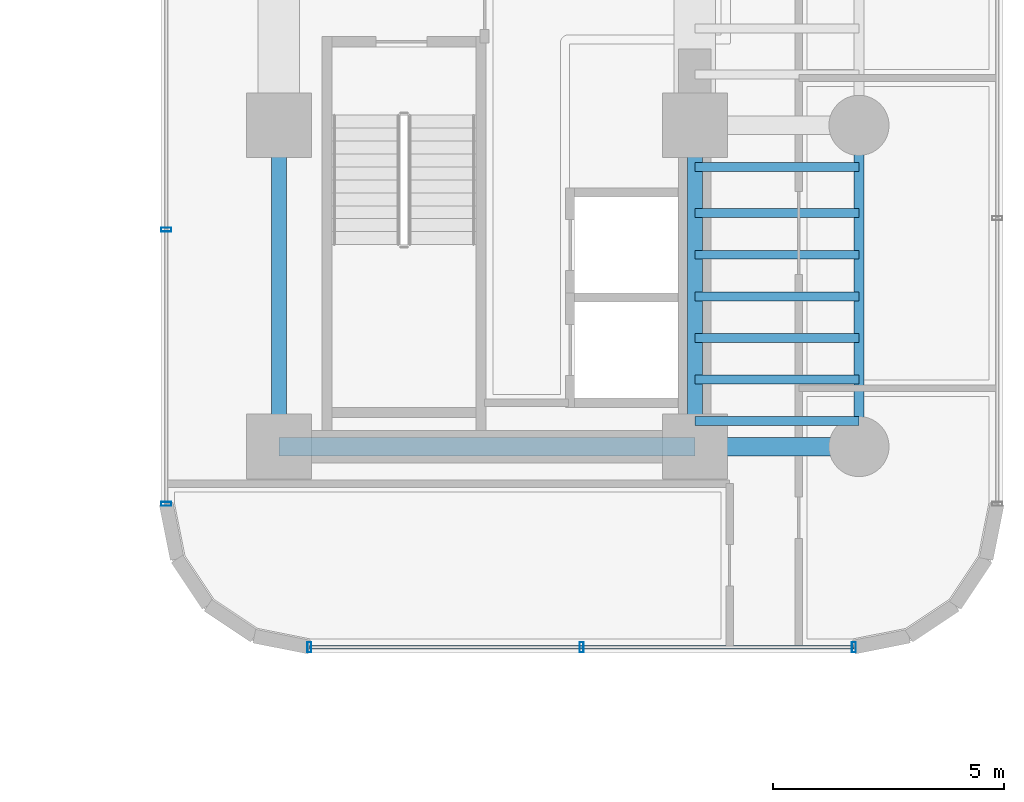
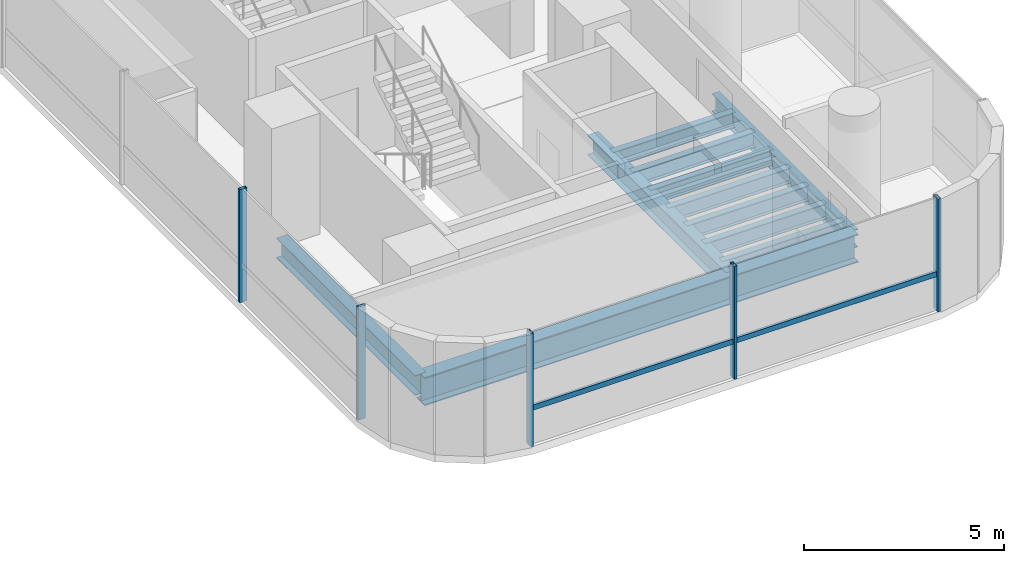
# One storey, part 14 of 41: 12 beams, 6 members, 2 elements without a shape of their own.
"""IFC4 building model written with IfcOpenShell, lengths in metres."""

from ifc_helpers import new_model, si_unit, direction, frame, origin, origin_2d, place, context, subcontext, project, spatial, hollow_rectangle, i_section, extrude, source, transform, mapped, material, material_profile, profile_set, type_object, element, aggregate, save


model = new_model("IFC4")

# Units and contexts
model_context = context("Model", 3, precision=1e-05, world=origin(), true_north=direction((0.0, 1.0)))
body_context = subcontext(model_context, "Body", "Model", "MODEL_VIEW")
ifc_project = project(units=[si_unit("LENGTHUNIT", "METRE"), si_unit("AREAUNIT", "SQUARE_METRE"), si_unit("VOLUMEUNIT", "CUBIC_METRE"), si_unit("PLANEANGLEUNIT", "RADIAN"), si_unit("MASSUNIT", "GRAM", prefix="KILO")], contexts=[model_context])

# Site, building, storey
site_placement = place(None, origin())
site = spatial("IfcSite", under=ifc_project, at=site_placement, CompositionType="ELEMENT")
building_placement = place(site_placement, origin())
building = spatial("IfcBuilding", under=site, at=building_placement, Name="Valdorenza Pilgrim Sanctuary Tower", CompositionType="ELEMENT")
storey_placement = place(building_placement, frame((0.0, 0.0, 88.89990234375)))
storey = spatial("IfcBuildingStorey", under=building, at=storey_placement, Name="L22", CompositionType="ELEMENT", Elevation=88.89990234375)

# Beams
ifc_material_1 = material(Name="Steel ASTM A992 Grade 50", Category="steel")
ifc_material_profile_1 = material_profile(ifc_material_1, i_section(OverallWidth=0.323974609375, OverallDepth=0.611083984375, WebThickness=0.0126953125, FlangeThickness=0.01904296875, at=origin_2d()), Name="W24X104")
ifc_profile_set_1 = profile_set([ifc_material_profile_1], Name="Steel ASTM A992 Grade 50")
beam_type_1 = type_object("IfcBeamType", Name="STR-BM-GRD-W24B", PredefinedType="BEAM", material=ifc_profile_set_1)
shared_shape_1 = source(origin(), body_context, "Body", "SweptSolid", [
    extrude(i_section(OverallWidth=0.323974609375, OverallDepth=0.611083984375, WebThickness=0.0126953125, FlangeThickness=0.01904296875, at=origin_2d()), origin(), (0.0, 0.0, 1.0), 6.949951171875),
])
for number, where, z_axis, x_axis, name in (
    (1, (15.85009765625, -9.550048828125, -0.54541015625), (0.0, 1.0, 0.0), (-1.0, 0.0, 0.0), "L22 Core Tie Girder CB-W-S1M0"),
    (2, (24.85009765625, -9.550048828125, -0.54541015625), (0.0, 1.0, 0.0), (-1.0, 0.0, 0.0), "L22 Core Tie Girder CB-E-S1M0"),
):
    element("IfcBeam", number, at=place(storey_placement, frame(where, z_axis=z_axis, x_axis=x_axis)), inside=storey, type_object=beam_type_1, Name=name, PredefinedType="BEAM", context=body_context, shape_type="MappedRepresentation", body=[
        mapped(shared_shape_1, transform((0.0, 0.0, 0.0), x_axis=(1.0, 0.0, 0.0), y_axis=(0.0, 1.0, 0.0), z_axis=(0.0, 0.0, 1.0), scale=1.0)),
    ])
ifc_material_profile_2 = material_profile(ifc_material_1, i_section(OverallWidth=0.214111328125, OverallDepth=0.549072265625, WebThickness=0.0146484375, FlangeThickness=0.023681640625, at=origin_2d()), Name="W21X93")
ifc_profile_set_2 = profile_set([ifc_material_profile_2], Name="Steel ASTM A992 Grade 50")
beam_type_2 = type_object("IfcBeamType", Name="STR-BM-SPN-W21A", PredefinedType="SPANDREL", material=ifc_profile_set_2)
shared_shape_2 = source(origin(), body_context, "Body", "SweptSolid", [
    extrude(i_section(OverallWidth=0.214111328125, OverallDepth=0.549072265625, WebThickness=0.0146484375, FlangeThickness=0.023681640625, at=origin_2d()), origin(), (0.0, 0.0, 1.0), 6.949951171875),
])
beam_1_placement = place(storey_placement, frame((28.39990234375, -9.550048828125, -0.514404296875), z_axis=(0.0, 1.0, 0.0), x_axis=(-1.0, 0.0, 0.0)))
element("IfcBeam", 3, at=beam_1_placement, inside=storey, type_object=beam_type_2, Name="L22 Spandrel Beam WB-E-S1M0", PredefinedType="SPANDREL", context=body_context, shape_type="MappedRepresentation", body=[
    mapped(shared_shape_2, transform((0.0, 0.0, 0.0), x_axis=(1.0, 0.0, 0.0), y_axis=(0.0, 1.0, 0.0), z_axis=(0.0, 0.0, 1.0), scale=1.0)),
])
ifc_material_profile_3 = material_profile(ifc_material_1, i_section(OverallWidth=0.193115234375, OverallDepth=0.466064453125, WebThickness=0.011474609375, FlangeThickness=0.01904296875, at=origin_2d()), Name="W18X65")
ifc_profile_set_3 = profile_set([ifc_material_profile_3], Name="Steel ASTM A992 Grade 50")
beam_type_3 = type_object("IfcBeamType", Name="STR-BM-JST-W18A", PredefinedType="JOIST", material=ifc_profile_set_3)
shared_shape_3 = source(origin(), body_context, "Body", "SweptSolid", [
    extrude(i_section(OverallWidth=0.193115234375, OverallDepth=0.466064453125, WebThickness=0.011474609375, FlangeThickness=0.01904296875, at=origin_2d()), origin(), (0.0, 0.0, 1.0), 3.5498046875),
])
for number, where, z_axis, x_axis, name in (
    (4, (24.85009765625, -9.0, -0.472900390625), (1.0, 0.0, 0.0), (0.0, 1.0, 0.0), "L22 Composite Floor Joist JST-WB-1"),
    (5, (24.85009765625, -8.10009765625, -0.472900390625), (1.0, 0.0, 0.0), (0.0, 1.0, 0.0), "L22 Composite Floor Joist JST-WB-2"),
    (6, (24.85009765625, -7.199951171875, -0.472900390625), (1.0, 0.0, 0.0), (0.0, 1.0, 0.0), "L22 Composite Floor Joist JST-WB-3"),
    (7, (24.85009765625, -6.300048828125, -0.472900390625), (1.0, 0.0, 0.0), (0.0, 1.0, 0.0), "L22 Composite Floor Joist JST-WB-4"),
    (8, (24.85009765625, -5.39990234375, -0.472900390625), (1.0, 0.0, 0.0), (0.0, 1.0, 0.0), "L22 Composite Floor Joist JST-WB-5"),
    (9, (24.85009765625, -4.5, -0.472900390625), (1.0, 0.0, 0.0), (0.0, 1.0, 0.0), "L22 Composite Floor Joist JST-WB-6"),
    (10, (24.85009765625, -3.5, -0.472900390625), (1.0, 0.0, 0.0), (0.0, 1.0, 0.0), "L22 Composite Floor Joist JST-WB-7"),
):
    element("IfcBeam", number, at=place(storey_placement, frame(where, z_axis=z_axis, x_axis=x_axis)), inside=storey, type_object=beam_type_3, Name=name, PredefinedType="JOIST", context=body_context, shape_type="MappedRepresentation", body=[
        mapped(shared_shape_3, transform((0.0, 0.0, 0.0), x_axis=(1.0, 0.0, 0.0), y_axis=(0.0, 1.0, 0.0), z_axis=(0.0, 0.0, 1.0), scale=1.0)),
    ])
ifc_material_profile_4 = material_profile(ifc_material_1, i_section(OverallWidth=0.39990234375, OverallDepth=0.862060546875, WebThickness=0.019775390625, FlangeThickness=0.032470703125, at=origin_2d()), Name="W33X221")
ifc_profile_set_4 = profile_set([ifc_material_profile_4], Name="Steel ASTM A992 Grade 50")
beam_type_4 = type_object("IfcBeamType", Name="STR-BM-GRD-W33", PredefinedType="BEAM", material=ifc_profile_set_4)
shared_shape_4 = source(origin(), body_context, "Body", "SweptSolid", [
    extrude(i_section(OverallWidth=0.39990234375, OverallDepth=0.862060546875, WebThickness=0.019775390625, FlangeThickness=0.032470703125, at=origin_2d()), origin(), (0.0, 0.0, 1.0), 9.0),
])
beam_2_placement = place(storey_placement, frame((15.85009765625, -9.550048828125, -0.6708984375), z_axis=(1.0, 0.0, 0.0), x_axis=(0.0, 1.0, 0.0)))
element("IfcBeam", 11, at=beam_2_placement, inside=storey, type_object=beam_type_4, Name="L22 Floor Girder CB-XC-S1", PredefinedType="BEAM", context=body_context, shape_type="MappedRepresentation", body=[
    mapped(shared_shape_4, transform((0.0, 0.0, 0.0), x_axis=(1.0, 0.0, 0.0), y_axis=(0.0, 1.0, 0.0), z_axis=(0.0, 0.0, 1.0), scale=1.0)),
])
shared_shape_5 = source(origin(), body_context, "Body", "SweptSolid", [
    extrude(i_section(OverallWidth=0.39990234375, OverallDepth=0.862060546875, WebThickness=0.019775390625, FlangeThickness=0.032470703125, at=origin_2d()), origin(), (0.0, 0.0, 1.0), 3.5498046875),
])
beam_3_placement = place(storey_placement, frame((24.85009765625, -9.550048828125, -0.6708984375), z_axis=(1.0, 0.0, 0.0), x_axis=(0.0, 1.0, 0.0)))
element("IfcBeam", 12, at=beam_3_placement, inside=storey, type_object=beam_type_4, Name="L22 Floor Girder WB-XE-S1", PredefinedType="BEAM", context=body_context, shape_type="MappedRepresentation", body=[
    mapped(shared_shape_5, transform((0.0, 0.0, 0.0), x_axis=(1.0, 0.0, 0.0), y_axis=(0.0, 1.0, 0.0), z_axis=(0.0, 0.0, 1.0), scale=1.0)),
])

# Curtain wall, members
ifc_material_2 = material(Name="Curtain-wall IGU glazing", Category="glass")
curtain_wall_type = type_object("IfcCurtainWallType", Name="CW-SYS-03", PredefinedType="NOTDEFINED", material=ifc_material_2)
curtain_wall_1_placement = place(storey_placement, origin())
curtain_wall_1 = element("IfcCurtainWall", 13, at=curtain_wall_1_placement, inside=storey, type_object=curtain_wall_type, Name="L22 Curtain Wall CW-L22-1-26", PredefinedType="NOTDEFINED")
ifc_material_3 = material(Name="Anodised aluminium AW-6060", Category="aluminium")
ifc_material_profile_5 = material_profile(ifc_material_3, hollow_rectangle(XDim=0.074951171875, YDim=0.159912109375, WallThickness=0.00390625, at=origin_2d()), Name="ALU-T 160x75x4")
ifc_profile_set_5 = profile_set([ifc_material_profile_5], Name="Anodised aluminium AW-6060")
member_type_1 = type_object("IfcMemberType", Name="CW-TRN-03", PredefinedType="USERDEFINED", material=ifc_profile_set_5)
shared_shape_6 = source(origin(), body_context, "Body", "SweptSolid", [
    extrude(hollow_rectangle(XDim=0.074951171875, YDim=0.159912109375, WallThickness=0.00390625, at=origin_2d()), origin(), (0.0, 0.0, 1.0), 11.778564453125),
])
member_1_placement = place(storey_placement, frame((28.289306640625, -13.889892578125, 1.1201171875), z_axis=(-1.0, 0.0, 0.0), x_axis=(0.0, -1.0, 0.0)))
member_1 = element("IfcMember", 14, at=member_1_placement, type_object=member_type_1, Name="CW-L22-1-26 Transom 1", ObjectType="TRANSOM", PredefinedType="USERDEFINED", context=body_context, shape_type="MappedRepresentation", body=[
    mapped(shared_shape_6, transform((0.0, 0.0, 0.0), x_axis=(1.0, 0.0, 0.0), y_axis=(0.0, 1.0, 0.0), z_axis=(0.0, 0.0, 1.0), scale=1.0)),
])
ifc_material_profile_6 = material_profile(ifc_material_3, hollow_rectangle(XDim=0.0849609375, YDim=0.219970703125, WallThickness=0.0048828125, at=origin_2d()), Name="ALU-M 220x85x5")
ifc_profile_set_6 = profile_set([ifc_material_profile_6], Name="Anodised aluminium AW-6060")
member_type_2 = type_object("IfcMemberType", Name="CW-MUL-03", PredefinedType="MULLION", material=ifc_profile_set_6)
shared_shape_7 = source(origin(), body_context, "Body", "SweptSolid", [
    extrude(hollow_rectangle(XDim=0.0849609375, YDim=0.219970703125, WallThickness=0.0048828125, at=origin_2d()), origin(), (0.0, 0.0, 1.0), 3.460205078125),
])
member_2_placement = place(storey_placement, frame((28.289306640625, -13.889892578125, 0.0), z_axis=(0.0, 0.0, 1.0), x_axis=(-1.0, 0.0, 0.0)))
member_2 = element("IfcMember", 15, at=member_2_placement, type_object=member_type_2, Name="CW-L22-1-26 Mullion 1", PredefinedType="MULLION", context=body_context, shape_type="MappedRepresentation", body=[
    mapped(shared_shape_7, transform((0.0, 0.0, 0.0), x_axis=(1.0, 0.0, 0.0), y_axis=(0.0, 1.0, 0.0), z_axis=(0.0, 0.0, 1.0), scale=1.0)),
])
member_3_placement = place(storey_placement, frame((22.39990234375, -13.889892578125, 0.0), z_axis=(0.0, 0.0, 1.0), x_axis=(-1.0, 0.0, 0.0)))
member_3 = element("IfcMember", 16, at=member_3_placement, type_object=member_type_2, Name="CW-L22-1-26 Mullion 2", PredefinedType="MULLION", context=body_context, shape_type="MappedRepresentation", body=[
    mapped(shared_shape_7, transform((0.0, 0.0, 0.0), x_axis=(1.0, 0.0, 0.0), y_axis=(0.0, 1.0, 0.0), z_axis=(0.0, 0.0, 1.0), scale=1.0)),
])
member_4_placement = place(storey_placement, frame((16.5107421875, -13.889892578125, 0.0), z_axis=(0.0, 0.0, 1.0), x_axis=(-1.0, 0.0, 0.0)))
member_4 = element("IfcMember", 17, at=member_4_placement, type_object=member_type_2, Name="CW-L22-1-26 Mullion 3", PredefinedType="MULLION", context=body_context, shape_type="MappedRepresentation", body=[
    mapped(shared_shape_7, transform((0.0, 0.0, 0.0), x_axis=(1.0, 0.0, 0.0), y_axis=(0.0, 1.0, 0.0), z_axis=(0.0, 0.0, 1.0), scale=1.0)),
])
aggregate(curtain_wall_1, [member_2, member_3, member_4, member_1])

curtain_wall_2_placement = place(storey_placement, origin())
curtain_wall_2 = element("IfcCurtainWall", 18, at=curtain_wall_2_placement, inside=storey, type_object=curtain_wall_type, Name="L22 Curtain Wall CW-L22-1-31", PredefinedType="NOTDEFINED")
member_5_placement = place(storey_placement, frame((13.409912109375, -10.789306640625, 0.0), z_axis=(0.0, 0.0, 1.0), x_axis=(0.0, 1.0, 0.0)))
member_5 = element("IfcMember", 19, at=member_5_placement, type_object=member_type_2, Name="CW-L22-1-31 Mullion 1", PredefinedType="MULLION", context=body_context, shape_type="MappedRepresentation", body=[
    mapped(shared_shape_7, transform((0.0, 0.0, 0.0), x_axis=(1.0, 0.0, 0.0), y_axis=(0.0, 1.0, 0.0), z_axis=(0.0, 0.0, 1.0), scale=1.0)),
])
member_6_placement = place(storey_placement, frame((13.409912109375, -4.85595703125, 0.0), z_axis=(0.0, 0.0, 1.0), x_axis=(0.0, 1.0, 0.0)))
member_6 = element("IfcMember", 20, at=member_6_placement, type_object=member_type_2, Name="CW-L22-1-31 Mullion 2", PredefinedType="MULLION", context=body_context, shape_type="MappedRepresentation", body=[
    mapped(shared_shape_7, transform((0.0, 0.0, 0.0), x_axis=(1.0, 0.0, 0.0), y_axis=(0.0, 1.0, 0.0), z_axis=(0.0, 0.0, 1.0), scale=1.0)),
])
aggregate(curtain_wall_2, [member_5, member_6])

save(model, "model.ifc")
